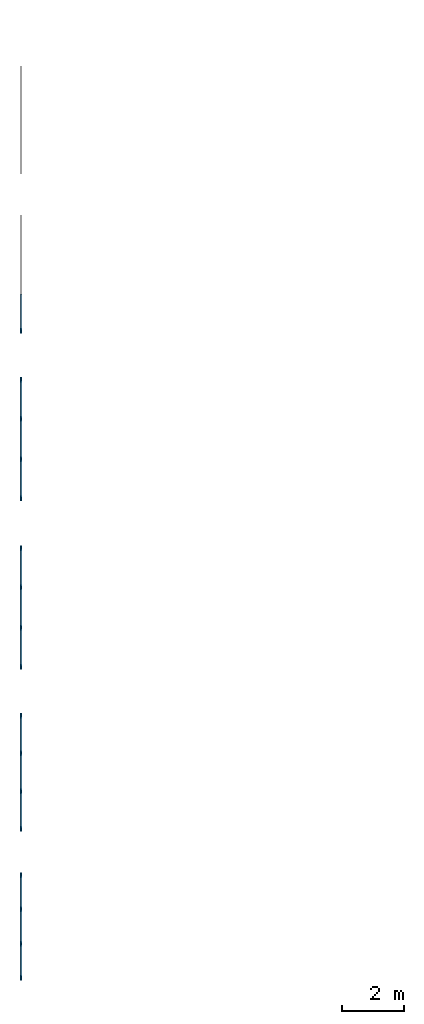
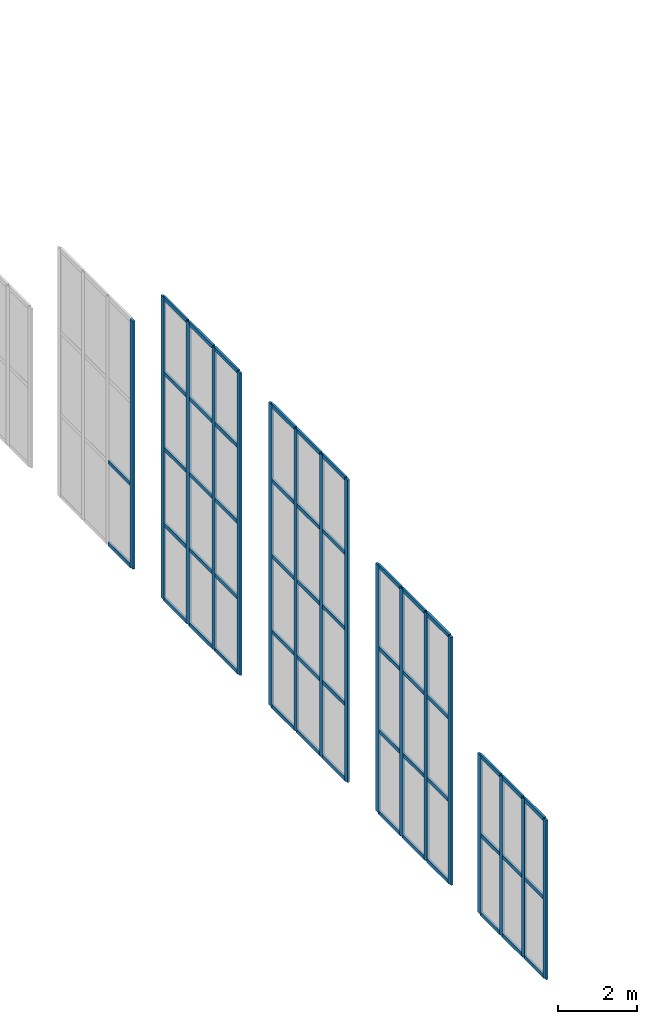
# One storey, part 2 of 19: 70 members, 5 elements without a shape of their own.
"""IFC4 building model written with IfcOpenShell, lengths in metres."""

from ifc_helpers import new_model, si_unit, direction, frame, origin, origin_2d, place, context, subcontext, project, spatial, rectangle, extrude, material, material_profile, profile_set, type_object, element, aggregate, save


model = new_model("IFC4")

# Units and contexts
model_context = context("Model", 3, precision=1e-05, world=origin(), true_north=direction((0.0, 1.0)))
body_context = subcontext(model_context, "Body", "Model", "MODEL_VIEW")
ifc_project = project(units=[si_unit("LENGTHUNIT", "METRE"), si_unit("AREAUNIT", "SQUARE_METRE"), si_unit("VOLUMEUNIT", "CUBIC_METRE"), si_unit("PLANEANGLEUNIT", "RADIAN"), si_unit("MASSUNIT", "GRAM", prefix="KILO")], contexts=[model_context])

# Site, building, storey
site_placement = place(None, origin())
site = spatial("IfcSite", under=ifc_project, at=site_placement, CompositionType="ELEMENT")
building_placement = place(site_placement, origin())
building = spatial("IfcBuilding", under=site, at=building_placement, Name="Vermilion Court Aquatics Centre", CompositionType="ELEMENT")
storey_placement = place(building_placement, frame((0.0, 0.0, 19.89990234375)))
storey = spatial("IfcBuildingStorey", under=building, at=storey_placement, Name="L04", CompositionType="ELEMENT", Elevation=19.89990234375)

# Curtain wall, members
ifc_material_1 = material(Name="Aluminium 6063-T5", Category="aluminium")
curtain_wall_type = type_object("IfcCurtainWallType", Name="Envelope curtain wall west gable upper runs", PredefinedType="NOTDEFINED", material=ifc_material_1)
curtain_wall_1_placement = place(storey_placement, origin())
curtain_wall_1 = element("IfcCurtainWall", 1, at=curtain_wall_1_placement, inside=storey, type_object=curtain_wall_type, Name="Gable glazing west 4.3", PredefinedType="NOTDEFINED")
ifc_material_2 = material(Name="Aluminium 6063-T5", Category="aluminium")
ifc_material_profile_1 = material_profile(ifc_material_2, rectangle(XDim=0.06005859375, YDim=0.159912109375, at=origin_2d()), Name="AL 60x160")
ifc_profile_set_1 = profile_set([ifc_material_profile_1], Name="Aluminium 6063-T5")
member_type_1 = type_object("IfcMemberType", Name="Envelope aluminium mullion 60x160", PredefinedType="MULLION", material=ifc_profile_set_1)
member_1_placement = place(storey_placement, frame((14.125, 24.85009765625, 0.0), z_axis=(0.0, 0.0, 1.0), x_axis=(-1.0, 0.0, 0.0)))
member_1 = element("IfcMember", 2, at=member_1_placement, type_object=member_type_1, Name="ECW4 mullion 1", PredefinedType="MULLION", context=body_context, shape_type="SweptSolid", body=[
    extrude(rectangle(XDim=0.06005859375, YDim=0.159912109375, at=origin_2d()), origin(), (0.0, 0.0, 1.0), 4.9384765625),
])
member_2_placement = place(storey_placement, frame((14.125, 25.94677734375, 0.0), z_axis=(0.0, 0.0, 1.0), x_axis=(-1.0, 0.0, 0.0)))
member_2 = element("IfcMember", 3, at=member_2_placement, type_object=member_type_1, Name="ECW4 mullion 2", PredefinedType="MULLION", context=body_context, shape_type="SweptSolid", body=[
    extrude(rectangle(XDim=0.06005859375, YDim=0.159912109375, at=origin_2d()), origin(), (0.0, 0.0, 1.0), 4.9384765625),
])
member_3_placement = place(storey_placement, frame((14.125, 27.0732421875, 0.0), z_axis=(0.0, 0.0, 1.0), x_axis=(-1.0, 0.0, 0.0)))
member_3 = element("IfcMember", 4, at=member_3_placement, type_object=member_type_1, Name="ECW4 mullion 3", PredefinedType="MULLION", context=body_context, shape_type="SweptSolid", body=[
    extrude(rectangle(XDim=0.06005859375, YDim=0.159912109375, at=origin_2d()), origin(), (0.0, 0.0, 1.0), 4.9384765625),
])
member_4_placement = place(storey_placement, frame((14.125, 28.169921875, 0.0), z_axis=(0.0, 0.0, 1.0), x_axis=(-1.0, 0.0, 0.0)))
member_4 = element("IfcMember", 5, at=member_4_placement, type_object=member_type_1, Name="ECW4 mullion 4", PredefinedType="MULLION", context=body_context, shape_type="SweptSolid", body=[
    extrude(rectangle(XDim=0.06005859375, YDim=0.159912109375, at=origin_2d()), origin(), (0.0, 0.0, 1.0), 4.9384765625),
])

curtain_wall_2_placement = place(storey_placement, origin())
curtain_wall_2 = element("IfcCurtainWall", 6, at=curtain_wall_2_placement, inside=storey, type_object=curtain_wall_type, Name="Gable glazing west 5.3", PredefinedType="NOTDEFINED")
member_5_placement = place(storey_placement, frame((14.125, 29.679931640625, 0.0), z_axis=(0.0, 0.0, 1.0), x_axis=(-1.0, 0.0, 0.0)))
member_5 = element("IfcMember", 7, at=member_5_placement, type_object=member_type_1, Name="ECW4 mullion 1", PredefinedType="MULLION", context=body_context, shape_type="SweptSolid", body=[
    extrude(rectangle(XDim=0.06005859375, YDim=0.159912109375, at=origin_2d()), origin(), (0.0, 0.0, 1.0), 7.689697265625),
])
member_6_placement = place(storey_placement, frame((14.125, 30.893310546875, 0.0), z_axis=(0.0, 0.0, 1.0), x_axis=(-1.0, 0.0, 0.0)))
member_6 = element("IfcMember", 8, at=member_6_placement, type_object=member_type_1, Name="ECW4 mullion 2", PredefinedType="MULLION", context=body_context, shape_type="SweptSolid", body=[
    extrude(rectangle(XDim=0.06005859375, YDim=0.159912109375, at=origin_2d()), origin(), (0.0, 0.0, 1.0), 7.689697265625),
])
member_7_placement = place(storey_placement, frame((14.125, 32.13671875, 0.0), z_axis=(0.0, 0.0, 1.0), x_axis=(-1.0, 0.0, 0.0)))
member_7 = element("IfcMember", 9, at=member_7_placement, type_object=member_type_1, Name="ECW4 mullion 3", PredefinedType="MULLION", context=body_context, shape_type="SweptSolid", body=[
    extrude(rectangle(XDim=0.06005859375, YDim=0.159912109375, at=origin_2d()), origin(), (0.0, 0.0, 1.0), 7.689697265625),
])
member_8_placement = place(storey_placement, frame((14.125, 33.35009765625, 0.0), z_axis=(0.0, 0.0, 1.0), x_axis=(-1.0, 0.0, 0.0)))
member_8 = element("IfcMember", 10, at=member_8_placement, type_object=member_type_1, Name="ECW4 mullion 4", PredefinedType="MULLION", context=body_context, shape_type="SweptSolid", body=[
    extrude(rectangle(XDim=0.06005859375, YDim=0.159912109375, at=origin_2d()), origin(), (0.0, 0.0, 1.0), 7.689697265625),
])

curtain_wall_3_placement = place(storey_placement, origin())
curtain_wall_3 = element("IfcCurtainWall", 11, at=curtain_wall_3_placement, inside=storey, type_object=curtain_wall_type, Name="Gable glazing west 6.3", PredefinedType="NOTDEFINED")
member_9_placement = place(storey_placement, frame((14.125, 34.93994140625, 0.0), z_axis=(0.0, 0.0, 1.0), x_axis=(-1.0, 0.0, 0.0)))
member_9 = element("IfcMember", 12, at=member_9_placement, type_object=member_type_1, Name="ECW4 mullion 1", PredefinedType="MULLION", context=body_context, shape_type="SweptSolid", body=[
    extrude(rectangle(XDim=0.06005859375, YDim=0.159912109375, at=origin_2d()), origin(), (0.0, 0.0, 1.0), 9.380126953125),
])
member_10_placement = place(storey_placement, frame((14.125, 36.21337890625, 0.0), z_axis=(0.0, 0.0, 1.0), x_axis=(-1.0, 0.0, 0.0)))
member_10 = element("IfcMember", 13, at=member_10_placement, type_object=member_type_1, Name="ECW4 mullion 2", PredefinedType="MULLION", context=body_context, shape_type="SweptSolid", body=[
    extrude(rectangle(XDim=0.06005859375, YDim=0.159912109375, at=origin_2d()), origin(), (0.0, 0.0, 1.0), 9.380126953125),
])
member_11_placement = place(storey_placement, frame((14.125, 37.5166015625, 0.0), z_axis=(0.0, 0.0, 1.0), x_axis=(-1.0, 0.0, 0.0)))
member_11 = element("IfcMember", 14, at=member_11_placement, type_object=member_type_1, Name="ECW4 mullion 3", PredefinedType="MULLION", context=body_context, shape_type="SweptSolid", body=[
    extrude(rectangle(XDim=0.06005859375, YDim=0.159912109375, at=origin_2d()), origin(), (0.0, 0.0, 1.0), 9.380126953125),
])
member_12_placement = place(storey_placement, frame((14.125, 38.7900390625, 0.0), z_axis=(0.0, 0.0, 1.0), x_axis=(-1.0, 0.0, 0.0)))
member_12 = element("IfcMember", 15, at=member_12_placement, type_object=member_type_1, Name="ECW4 mullion 4", PredefinedType="MULLION", context=body_context, shape_type="SweptSolid", body=[
    extrude(rectangle(XDim=0.06005859375, YDim=0.159912109375, at=origin_2d()), origin(), (0.0, 0.0, 1.0), 9.380126953125),
])

curtain_wall_4_placement = place(storey_placement, origin())
curtain_wall_4 = element("IfcCurtainWall", 16, at=curtain_wall_4_placement, inside=storey, type_object=curtain_wall_type, Name="Gable glazing west 7.3", PredefinedType="NOTDEFINED")
member_13_placement = place(storey_placement, frame((14.125, 40.409912109375, 0.0), z_axis=(0.0, 0.0, 1.0), x_axis=(-1.0, 0.0, 0.0)))
member_13 = element("IfcMember", 17, at=member_13_placement, type_object=member_type_1, Name="ECW4 mullion 1", PredefinedType="MULLION", context=body_context, shape_type="SweptSolid", body=[
    extrude(rectangle(XDim=0.06005859375, YDim=0.159912109375, at=origin_2d()), origin(), (0.0, 0.0, 1.0), 9.380126953125),
])
member_14_placement = place(storey_placement, frame((14.125, 41.683349609375, 0.0), z_axis=(0.0, 0.0, 1.0), x_axis=(-1.0, 0.0, 0.0)))
member_14 = element("IfcMember", 18, at=member_14_placement, type_object=member_type_1, Name="ECW4 mullion 2", PredefinedType="MULLION", context=body_context, shape_type="SweptSolid", body=[
    extrude(rectangle(XDim=0.06005859375, YDim=0.159912109375, at=origin_2d()), origin(), (0.0, 0.0, 1.0), 9.380126953125),
])
member_15_placement = place(storey_placement, frame((14.125, 42.986572265625, 0.0), z_axis=(0.0, 0.0, 1.0), x_axis=(-1.0, 0.0, 0.0)))
member_15 = element("IfcMember", 19, at=member_15_placement, type_object=member_type_1, Name="ECW4 mullion 3", PredefinedType="MULLION", context=body_context, shape_type="SweptSolid", body=[
    extrude(rectangle(XDim=0.06005859375, YDim=0.159912109375, at=origin_2d()), origin(), (0.0, 0.0, 1.0), 9.380126953125),
])
member_16_placement = place(storey_placement, frame((14.125, 44.260009765625, 0.0), z_axis=(0.0, 0.0, 1.0), x_axis=(-1.0, 0.0, 0.0)))
member_16 = element("IfcMember", 20, at=member_16_placement, type_object=member_type_1, Name="ECW4 mullion 4", PredefinedType="MULLION", context=body_context, shape_type="SweptSolid", body=[
    extrude(rectangle(XDim=0.06005859375, YDim=0.159912109375, at=origin_2d()), origin(), (0.0, 0.0, 1.0), 9.380126953125),
])

# Curtain wall, member
curtain_wall_5_placement = place(storey_placement, origin())
curtain_wall_5 = element("IfcCurtainWall", 21, at=curtain_wall_5_placement, inside=storey, type_object=curtain_wall_type, Name="Gable glazing west 8.3", PredefinedType="NOTDEFINED")
member_17_placement = place(storey_placement, frame((14.125, 45.85009765625, 0.0), z_axis=(0.0, 0.0, 1.0), x_axis=(-1.0, 0.0, 0.0)))
member_17 = element("IfcMember", 22, at=member_17_placement, type_object=member_type_1, Name="ECW4 mullion 1", PredefinedType="MULLION", context=body_context, shape_type="SweptSolid", body=[
    extrude(rectangle(XDim=0.06005859375, YDim=0.159912109375, at=origin_2d()), origin(), (0.0, 0.0, 1.0), 7.689697265625),
])

# Member
ifc_material_3 = material(Name="Aluminium 6063-T5", Category="aluminium")
ifc_material_profile_2 = material_profile(ifc_material_3, rectangle(XDim=0.06005859375, YDim=0.1201171875, at=origin_2d()), Name="AL 60x120")
ifc_profile_set_2 = profile_set([ifc_material_profile_2], Name="Aluminium 6063-T5")
member_type_2 = type_object("IfcMemberType", Name="Envelope aluminium transom 60x120", PredefinedType="USERDEFINED", material=ifc_profile_set_2)
member_18_placement = place(storey_placement, frame((14.125, 24.8798828125, 0.030029296875), z_axis=(0.0, 1.0, 0.0), x_axis=(-1.0, 0.0, 0.0)))
member_18 = element("IfcMember", 23, at=member_18_placement, type_object=member_type_2, Name="ECW4 transom 1.1", ObjectType="TRANSOM", PredefinedType="USERDEFINED", context=body_context, shape_type="SweptSolid", body=[
    extrude(rectangle(XDim=0.06005859375, YDim=0.1201171875, at=origin_2d()), origin(), (0.0, 0.0, 1.0), 1.036865234375),
])

member_19_placement = place(storey_placement, frame((14.125, 24.8798828125, 2.46923828125), z_axis=(0.0, 1.0, 0.0), x_axis=(-1.0, 0.0, 0.0)))
member_19 = element("IfcMember", 24, at=member_19_placement, type_object=member_type_2, Name="ECW4 transom 1.2", ObjectType="TRANSOM", PredefinedType="USERDEFINED", context=body_context, shape_type="SweptSolid", body=[
    extrude(rectangle(XDim=0.06005859375, YDim=0.1201171875, at=origin_2d()), origin(), (0.0, 0.0, 1.0), 1.036865234375),
])

member_20_placement = place(storey_placement, frame((14.125, 24.8798828125, 4.908447265625), z_axis=(0.0, 1.0, 0.0), x_axis=(-1.0, 0.0, 0.0)))
member_20 = element("IfcMember", 25, at=member_20_placement, type_object=member_type_2, Name="ECW4 transom 1.3", ObjectType="TRANSOM", PredefinedType="USERDEFINED", context=body_context, shape_type="SweptSolid", body=[
    extrude(rectangle(XDim=0.06005859375, YDim=0.1201171875, at=origin_2d()), origin(), (0.0, 0.0, 1.0), 1.036865234375),
])

member_21_placement = place(storey_placement, frame((14.125, 25.9765625, 0.030029296875), z_axis=(0.0, 1.0, 0.0), x_axis=(-1.0, 0.0, 0.0)))
member_21 = element("IfcMember", 26, at=member_21_placement, type_object=member_type_2, Name="ECW4 transom 2.1", ObjectType="TRANSOM", PredefinedType="USERDEFINED", context=body_context, shape_type="SweptSolid", body=[
    extrude(rectangle(XDim=0.06005859375, YDim=0.1201171875, at=origin_2d()), origin(), (0.0, 0.0, 1.0), 1.066650390625),
])

member_22_placement = place(storey_placement, frame((14.125, 25.9765625, 2.46923828125), z_axis=(0.0, 1.0, 0.0), x_axis=(-1.0, 0.0, 0.0)))
member_22 = element("IfcMember", 27, at=member_22_placement, type_object=member_type_2, Name="ECW4 transom 2.2", ObjectType="TRANSOM", PredefinedType="USERDEFINED", context=body_context, shape_type="SweptSolid", body=[
    extrude(rectangle(XDim=0.06005859375, YDim=0.1201171875, at=origin_2d()), origin(), (0.0, 0.0, 1.0), 1.066650390625),
])

member_23_placement = place(storey_placement, frame((14.125, 25.9765625, 4.908447265625), z_axis=(0.0, 1.0, 0.0), x_axis=(-1.0, 0.0, 0.0)))
member_23 = element("IfcMember", 28, at=member_23_placement, type_object=member_type_2, Name="ECW4 transom 2.3", ObjectType="TRANSOM", PredefinedType="USERDEFINED", context=body_context, shape_type="SweptSolid", body=[
    extrude(rectangle(XDim=0.06005859375, YDim=0.1201171875, at=origin_2d()), origin(), (0.0, 0.0, 1.0), 1.066650390625),
])

member_24_placement = place(storey_placement, frame((14.125, 27.103271484375, 0.030029296875), z_axis=(0.0, 1.0, 0.0), x_axis=(-1.0, 0.0, 0.0)))
member_24 = element("IfcMember", 29, at=member_24_placement, type_object=member_type_2, Name="ECW4 transom 3.1", ObjectType="TRANSOM", PredefinedType="USERDEFINED", context=body_context, shape_type="SweptSolid", body=[
    extrude(rectangle(XDim=0.06005859375, YDim=0.1201171875, at=origin_2d()), origin(), (0.0, 0.0, 1.0), 1.03662109375),
])

member_25_placement = place(storey_placement, frame((14.125, 27.103271484375, 2.46923828125), z_axis=(0.0, 1.0, 0.0), x_axis=(-1.0, 0.0, 0.0)))
member_25 = element("IfcMember", 30, at=member_25_placement, type_object=member_type_2, Name="ECW4 transom 3.2", ObjectType="TRANSOM", PredefinedType="USERDEFINED", context=body_context, shape_type="SweptSolid", body=[
    extrude(rectangle(XDim=0.06005859375, YDim=0.1201171875, at=origin_2d()), origin(), (0.0, 0.0, 1.0), 1.03662109375),
])

member_26_placement = place(storey_placement, frame((14.125, 27.103271484375, 4.908447265625), z_axis=(0.0, 1.0, 0.0), x_axis=(-1.0, 0.0, 0.0)))
member_26 = element("IfcMember", 31, at=member_26_placement, type_object=member_type_2, Name="ECW4 transom 3.3", ObjectType="TRANSOM", PredefinedType="USERDEFINED", context=body_context, shape_type="SweptSolid", body=[
    extrude(rectangle(XDim=0.06005859375, YDim=0.1201171875, at=origin_2d()), origin(), (0.0, 0.0, 1.0), 1.03662109375),
])

aggregate(curtain_wall_1, [member_1, member_2, member_3, member_4, member_18, member_19, member_20, member_21, member_22, member_23, member_24, member_25, member_26])

member_27_placement = place(storey_placement, frame((14.125, 29.7099609375, 0.030029296875), z_axis=(0.0, 1.0, 0.0), x_axis=(-1.0, 0.0, 0.0)))
member_27 = element("IfcMember", 32, at=member_27_placement, type_object=member_type_2, Name="ECW4 transom 1.1", ObjectType="TRANSOM", PredefinedType="USERDEFINED", context=body_context, shape_type="SweptSolid", body=[
    extrude(rectangle(XDim=0.06005859375, YDim=0.1201171875, at=origin_2d()), origin(), (0.0, 0.0, 1.0), 1.1533203125),
])

member_28_placement = place(storey_placement, frame((14.125, 29.7099609375, 2.563232421875), z_axis=(0.0, 1.0, 0.0), x_axis=(-1.0, 0.0, 0.0)))
member_28 = element("IfcMember", 33, at=member_28_placement, type_object=member_type_2, Name="ECW4 transom 1.2", ObjectType="TRANSOM", PredefinedType="USERDEFINED", context=body_context, shape_type="SweptSolid", body=[
    extrude(rectangle(XDim=0.06005859375, YDim=0.1201171875, at=origin_2d()), origin(), (0.0, 0.0, 1.0), 1.1533203125),
])

member_29_placement = place(storey_placement, frame((14.125, 29.7099609375, 5.12646484375), z_axis=(0.0, 1.0, 0.0), x_axis=(-1.0, 0.0, 0.0)))
member_29 = element("IfcMember", 34, at=member_29_placement, type_object=member_type_2, Name="ECW4 transom 1.3", ObjectType="TRANSOM", PredefinedType="USERDEFINED", context=body_context, shape_type="SweptSolid", body=[
    extrude(rectangle(XDim=0.06005859375, YDim=0.1201171875, at=origin_2d()), origin(), (0.0, 0.0, 1.0), 1.1533203125),
])

member_30_placement = place(storey_placement, frame((14.125, 29.7099609375, 7.65966796875), z_axis=(0.0, 1.0, 0.0), x_axis=(-1.0, 0.0, 0.0)))
member_30 = element("IfcMember", 35, at=member_30_placement, type_object=member_type_2, Name="ECW4 transom 1.4", ObjectType="TRANSOM", PredefinedType="USERDEFINED", context=body_context, shape_type="SweptSolid", body=[
    extrude(rectangle(XDim=0.06005859375, YDim=0.1201171875, at=origin_2d()), origin(), (0.0, 0.0, 1.0), 1.1533203125),
])

member_31_placement = place(storey_placement, frame((14.125, 30.92333984375, 0.030029296875), z_axis=(0.0, 1.0, 0.0), x_axis=(-1.0, 0.0, 0.0)))
member_31 = element("IfcMember", 36, at=member_31_placement, type_object=member_type_2, Name="ECW4 transom 2.1", ObjectType="TRANSOM", PredefinedType="USERDEFINED", context=body_context, shape_type="SweptSolid", body=[
    extrude(rectangle(XDim=0.06005859375, YDim=0.1201171875, at=origin_2d()), origin(), (0.0, 0.0, 1.0), 1.183349609375),
])

member_32_placement = place(storey_placement, frame((14.125, 30.92333984375, 2.563232421875), z_axis=(0.0, 1.0, 0.0), x_axis=(-1.0, 0.0, 0.0)))
member_32 = element("IfcMember", 37, at=member_32_placement, type_object=member_type_2, Name="ECW4 transom 2.2", ObjectType="TRANSOM", PredefinedType="USERDEFINED", context=body_context, shape_type="SweptSolid", body=[
    extrude(rectangle(XDim=0.06005859375, YDim=0.1201171875, at=origin_2d()), origin(), (0.0, 0.0, 1.0), 1.183349609375),
])

member_33_placement = place(storey_placement, frame((14.125, 30.92333984375, 5.12646484375), z_axis=(0.0, 1.0, 0.0), x_axis=(-1.0, 0.0, 0.0)))
member_33 = element("IfcMember", 38, at=member_33_placement, type_object=member_type_2, Name="ECW4 transom 2.3", ObjectType="TRANSOM", PredefinedType="USERDEFINED", context=body_context, shape_type="SweptSolid", body=[
    extrude(rectangle(XDim=0.06005859375, YDim=0.1201171875, at=origin_2d()), origin(), (0.0, 0.0, 1.0), 1.183349609375),
])

member_34_placement = place(storey_placement, frame((14.125, 30.92333984375, 7.65966796875), z_axis=(0.0, 1.0, 0.0), x_axis=(-1.0, 0.0, 0.0)))
member_34 = element("IfcMember", 39, at=member_34_placement, type_object=member_type_2, Name="ECW4 transom 2.4", ObjectType="TRANSOM", PredefinedType="USERDEFINED", context=body_context, shape_type="SweptSolid", body=[
    extrude(rectangle(XDim=0.06005859375, YDim=0.1201171875, at=origin_2d()), origin(), (0.0, 0.0, 1.0), 1.183349609375),
])

member_35_placement = place(storey_placement, frame((14.125, 32.166748046875, 0.030029296875), z_axis=(0.0, 1.0, 0.0), x_axis=(-1.0, 0.0, 0.0)))
member_35 = element("IfcMember", 40, at=member_35_placement, type_object=member_type_2, Name="ECW4 transom 3.1", ObjectType="TRANSOM", PredefinedType="USERDEFINED", context=body_context, shape_type="SweptSolid", body=[
    extrude(rectangle(XDim=0.06005859375, YDim=0.1201171875, at=origin_2d()), origin(), (0.0, 0.0, 1.0), 1.1533203125),
])

member_36_placement = place(storey_placement, frame((14.125, 32.166748046875, 2.563232421875), z_axis=(0.0, 1.0, 0.0), x_axis=(-1.0, 0.0, 0.0)))
member_36 = element("IfcMember", 41, at=member_36_placement, type_object=member_type_2, Name="ECW4 transom 3.2", ObjectType="TRANSOM", PredefinedType="USERDEFINED", context=body_context, shape_type="SweptSolid", body=[
    extrude(rectangle(XDim=0.06005859375, YDim=0.1201171875, at=origin_2d()), origin(), (0.0, 0.0, 1.0), 1.1533203125),
])

member_37_placement = place(storey_placement, frame((14.125, 32.166748046875, 5.12646484375), z_axis=(0.0, 1.0, 0.0), x_axis=(-1.0, 0.0, 0.0)))
member_37 = element("IfcMember", 42, at=member_37_placement, type_object=member_type_2, Name="ECW4 transom 3.3", ObjectType="TRANSOM", PredefinedType="USERDEFINED", context=body_context, shape_type="SweptSolid", body=[
    extrude(rectangle(XDim=0.06005859375, YDim=0.1201171875, at=origin_2d()), origin(), (0.0, 0.0, 1.0), 1.1533203125),
])

member_38_placement = place(storey_placement, frame((14.125, 32.166748046875, 7.65966796875), z_axis=(0.0, 1.0, 0.0), x_axis=(-1.0, 0.0, 0.0)))
member_38 = element("IfcMember", 43, at=member_38_placement, type_object=member_type_2, Name="ECW4 transom 3.4", ObjectType="TRANSOM", PredefinedType="USERDEFINED", context=body_context, shape_type="SweptSolid", body=[
    extrude(rectangle(XDim=0.06005859375, YDim=0.1201171875, at=origin_2d()), origin(), (0.0, 0.0, 1.0), 1.1533203125),
])

aggregate(curtain_wall_2, [member_5, member_6, member_7, member_8, member_27, member_28, member_29, member_30, member_31, member_32, member_33, member_34, member_35, member_36, member_37, member_38])

member_39_placement = place(storey_placement, frame((14.125, 34.969970703125, 0.030029296875), z_axis=(0.0, 1.0, 0.0), x_axis=(-1.0, 0.0, 0.0)))
member_39 = element("IfcMember", 44, at=member_39_placement, type_object=member_type_2, Name="ECW4 transom 1.1", ObjectType="TRANSOM", PredefinedType="USERDEFINED", context=body_context, shape_type="SweptSolid", body=[
    extrude(rectangle(XDim=0.06005859375, YDim=0.1201171875, at=origin_2d()), origin(), (0.0, 0.0, 1.0), 1.21337890625),
])

member_40_placement = place(storey_placement, frame((14.125, 34.969970703125, 2.34521484375), z_axis=(0.0, 1.0, 0.0), x_axis=(-1.0, 0.0, 0.0)))
member_40 = element("IfcMember", 45, at=member_40_placement, type_object=member_type_2, Name="ECW4 transom 1.2", ObjectType="TRANSOM", PredefinedType="USERDEFINED", context=body_context, shape_type="SweptSolid", body=[
    extrude(rectangle(XDim=0.06005859375, YDim=0.1201171875, at=origin_2d()), origin(), (0.0, 0.0, 1.0), 1.21337890625),
])

member_41_placement = place(storey_placement, frame((14.125, 34.969970703125, 4.690185546875), z_axis=(0.0, 1.0, 0.0), x_axis=(-1.0, 0.0, 0.0)))
member_41 = element("IfcMember", 46, at=member_41_placement, type_object=member_type_2, Name="ECW4 transom 1.3", ObjectType="TRANSOM", PredefinedType="USERDEFINED", context=body_context, shape_type="SweptSolid", body=[
    extrude(rectangle(XDim=0.06005859375, YDim=0.1201171875, at=origin_2d()), origin(), (0.0, 0.0, 1.0), 1.21337890625),
])

member_42_placement = place(storey_placement, frame((14.125, 34.969970703125, 7.03515625), z_axis=(0.0, 1.0, 0.0), x_axis=(-1.0, 0.0, 0.0)))
member_42 = element("IfcMember", 47, at=member_42_placement, type_object=member_type_2, Name="ECW4 transom 1.4", ObjectType="TRANSOM", PredefinedType="USERDEFINED", context=body_context, shape_type="SweptSolid", body=[
    extrude(rectangle(XDim=0.06005859375, YDim=0.1201171875, at=origin_2d()), origin(), (0.0, 0.0, 1.0), 1.21337890625),
])

member_43_placement = place(storey_placement, frame((14.125, 34.969970703125, 9.35009765625), z_axis=(0.0, 1.0, 0.0), x_axis=(-1.0, 0.0, 0.0)))
member_43 = element("IfcMember", 48, at=member_43_placement, type_object=member_type_2, Name="ECW4 transom 1.5", ObjectType="TRANSOM", PredefinedType="USERDEFINED", context=body_context, shape_type="SweptSolid", body=[
    extrude(rectangle(XDim=0.06005859375, YDim=0.1201171875, at=origin_2d()), origin(), (0.0, 0.0, 1.0), 1.21337890625),
])

member_44_placement = place(storey_placement, frame((14.125, 36.243408203125, 0.030029296875), z_axis=(0.0, 1.0, 0.0), x_axis=(-1.0, 0.0, 0.0)))
member_44 = element("IfcMember", 49, at=member_44_placement, type_object=member_type_2, Name="ECW4 transom 2.1", ObjectType="TRANSOM", PredefinedType="USERDEFINED", context=body_context, shape_type="SweptSolid", body=[
    extrude(rectangle(XDim=0.06005859375, YDim=0.1201171875, at=origin_2d()), origin(), (0.0, 0.0, 1.0), 1.2431640625),
])

member_45_placement = place(storey_placement, frame((14.125, 36.243408203125, 2.34521484375), z_axis=(0.0, 1.0, 0.0), x_axis=(-1.0, 0.0, 0.0)))
member_45 = element("IfcMember", 50, at=member_45_placement, type_object=member_type_2, Name="ECW4 transom 2.2", ObjectType="TRANSOM", PredefinedType="USERDEFINED", context=body_context, shape_type="SweptSolid", body=[
    extrude(rectangle(XDim=0.06005859375, YDim=0.1201171875, at=origin_2d()), origin(), (0.0, 0.0, 1.0), 1.2431640625),
])

member_46_placement = place(storey_placement, frame((14.125, 36.243408203125, 4.690185546875), z_axis=(0.0, 1.0, 0.0), x_axis=(-1.0, 0.0, 0.0)))
member_46 = element("IfcMember", 51, at=member_46_placement, type_object=member_type_2, Name="ECW4 transom 2.3", ObjectType="TRANSOM", PredefinedType="USERDEFINED", context=body_context, shape_type="SweptSolid", body=[
    extrude(rectangle(XDim=0.06005859375, YDim=0.1201171875, at=origin_2d()), origin(), (0.0, 0.0, 1.0), 1.2431640625),
])

member_47_placement = place(storey_placement, frame((14.125, 36.243408203125, 7.03515625), z_axis=(0.0, 1.0, 0.0), x_axis=(-1.0, 0.0, 0.0)))
member_47 = element("IfcMember", 52, at=member_47_placement, type_object=member_type_2, Name="ECW4 transom 2.4", ObjectType="TRANSOM", PredefinedType="USERDEFINED", context=body_context, shape_type="SweptSolid", body=[
    extrude(rectangle(XDim=0.06005859375, YDim=0.1201171875, at=origin_2d()), origin(), (0.0, 0.0, 1.0), 1.2431640625),
])

member_48_placement = place(storey_placement, frame((14.125, 36.243408203125, 9.35009765625), z_axis=(0.0, 1.0, 0.0), x_axis=(-1.0, 0.0, 0.0)))
member_48 = element("IfcMember", 53, at=member_48_placement, type_object=member_type_2, Name="ECW4 transom 2.5", ObjectType="TRANSOM", PredefinedType="USERDEFINED", context=body_context, shape_type="SweptSolid", body=[
    extrude(rectangle(XDim=0.06005859375, YDim=0.1201171875, at=origin_2d()), origin(), (0.0, 0.0, 1.0), 1.2431640625),
])

member_49_placement = place(storey_placement, frame((14.125, 37.546630859375, 0.030029296875), z_axis=(0.0, 1.0, 0.0), x_axis=(-1.0, 0.0, 0.0)))
member_49 = element("IfcMember", 54, at=member_49_placement, type_object=member_type_2, Name="ECW4 transom 3.1", ObjectType="TRANSOM", PredefinedType="USERDEFINED", context=body_context, shape_type="SweptSolid", body=[
    extrude(rectangle(XDim=0.06005859375, YDim=0.1201171875, at=origin_2d()), origin(), (0.0, 0.0, 1.0), 1.21337890625),
])

member_50_placement = place(storey_placement, frame((14.125, 37.546630859375, 2.34521484375), z_axis=(0.0, 1.0, 0.0), x_axis=(-1.0, 0.0, 0.0)))
member_50 = element("IfcMember", 55, at=member_50_placement, type_object=member_type_2, Name="ECW4 transom 3.2", ObjectType="TRANSOM", PredefinedType="USERDEFINED", context=body_context, shape_type="SweptSolid", body=[
    extrude(rectangle(XDim=0.06005859375, YDim=0.1201171875, at=origin_2d()), origin(), (0.0, 0.0, 1.0), 1.21337890625),
])

member_51_placement = place(storey_placement, frame((14.125, 37.546630859375, 4.690185546875), z_axis=(0.0, 1.0, 0.0), x_axis=(-1.0, 0.0, 0.0)))
member_51 = element("IfcMember", 56, at=member_51_placement, type_object=member_type_2, Name="ECW4 transom 3.3", ObjectType="TRANSOM", PredefinedType="USERDEFINED", context=body_context, shape_type="SweptSolid", body=[
    extrude(rectangle(XDim=0.06005859375, YDim=0.1201171875, at=origin_2d()), origin(), (0.0, 0.0, 1.0), 1.21337890625),
])

member_52_placement = place(storey_placement, frame((14.125, 37.546630859375, 7.03515625), z_axis=(0.0, 1.0, 0.0), x_axis=(-1.0, 0.0, 0.0)))
member_52 = element("IfcMember", 57, at=member_52_placement, type_object=member_type_2, Name="ECW4 transom 3.4", ObjectType="TRANSOM", PredefinedType="USERDEFINED", context=body_context, shape_type="SweptSolid", body=[
    extrude(rectangle(XDim=0.06005859375, YDim=0.1201171875, at=origin_2d()), origin(), (0.0, 0.0, 1.0), 1.21337890625),
])

member_53_placement = place(storey_placement, frame((14.125, 37.546630859375, 9.35009765625), z_axis=(0.0, 1.0, 0.0), x_axis=(-1.0, 0.0, 0.0)))
member_53 = element("IfcMember", 58, at=member_53_placement, type_object=member_type_2, Name="ECW4 transom 3.5", ObjectType="TRANSOM", PredefinedType="USERDEFINED", context=body_context, shape_type="SweptSolid", body=[
    extrude(rectangle(XDim=0.06005859375, YDim=0.1201171875, at=origin_2d()), origin(), (0.0, 0.0, 1.0), 1.21337890625),
])

aggregate(curtain_wall_3, [member_9, member_10, member_11, member_12, member_39, member_40, member_41, member_42, member_43, member_44, member_45, member_46, member_47, member_48, member_49, member_50, member_51, member_52, member_53])

member_54_placement = place(storey_placement, frame((14.125, 40.43994140625, 0.030029296875), z_axis=(0.0, 1.0, 0.0), x_axis=(-1.0, 0.0, 0.0)))
member_54 = element("IfcMember", 59, at=member_54_placement, type_object=member_type_2, Name="ECW4 transom 1.1", ObjectType="TRANSOM", PredefinedType="USERDEFINED", context=body_context, shape_type="SweptSolid", body=[
    extrude(rectangle(XDim=0.06005859375, YDim=0.1201171875, at=origin_2d()), origin(), (0.0, 0.0, 1.0), 1.21337890625),
])

member_55_placement = place(storey_placement, frame((14.125, 40.43994140625, 2.34521484375), z_axis=(0.0, 1.0, 0.0), x_axis=(-1.0, 0.0, 0.0)))
member_55 = element("IfcMember", 60, at=member_55_placement, type_object=member_type_2, Name="ECW4 transom 1.2", ObjectType="TRANSOM", PredefinedType="USERDEFINED", context=body_context, shape_type="SweptSolid", body=[
    extrude(rectangle(XDim=0.06005859375, YDim=0.1201171875, at=origin_2d()), origin(), (0.0, 0.0, 1.0), 1.21337890625),
])

member_56_placement = place(storey_placement, frame((14.125, 40.43994140625, 4.690185546875), z_axis=(0.0, 1.0, 0.0), x_axis=(-1.0, 0.0, 0.0)))
member_56 = element("IfcMember", 61, at=member_56_placement, type_object=member_type_2, Name="ECW4 transom 1.3", ObjectType="TRANSOM", PredefinedType="USERDEFINED", context=body_context, shape_type="SweptSolid", body=[
    extrude(rectangle(XDim=0.06005859375, YDim=0.1201171875, at=origin_2d()), origin(), (0.0, 0.0, 1.0), 1.21337890625),
])

member_57_placement = place(storey_placement, frame((14.125, 40.43994140625, 7.03515625), z_axis=(0.0, 1.0, 0.0), x_axis=(-1.0, 0.0, 0.0)))
member_57 = element("IfcMember", 62, at=member_57_placement, type_object=member_type_2, Name="ECW4 transom 1.4", ObjectType="TRANSOM", PredefinedType="USERDEFINED", context=body_context, shape_type="SweptSolid", body=[
    extrude(rectangle(XDim=0.06005859375, YDim=0.1201171875, at=origin_2d()), origin(), (0.0, 0.0, 1.0), 1.21337890625),
])

member_58_placement = place(storey_placement, frame((14.125, 40.43994140625, 9.35009765625), z_axis=(0.0, 1.0, 0.0), x_axis=(-1.0, 0.0, 0.0)))
member_58 = element("IfcMember", 63, at=member_58_placement, type_object=member_type_2, Name="ECW4 transom 1.5", ObjectType="TRANSOM", PredefinedType="USERDEFINED", context=body_context, shape_type="SweptSolid", body=[
    extrude(rectangle(XDim=0.06005859375, YDim=0.1201171875, at=origin_2d()), origin(), (0.0, 0.0, 1.0), 1.21337890625),
])

member_59_placement = place(storey_placement, frame((14.125, 41.71337890625, 0.030029296875), z_axis=(0.0, 1.0, 0.0), x_axis=(-1.0, 0.0, 0.0)))
member_59 = element("IfcMember", 64, at=member_59_placement, type_object=member_type_2, Name="ECW4 transom 2.1", ObjectType="TRANSOM", PredefinedType="USERDEFINED", context=body_context, shape_type="SweptSolid", body=[
    extrude(rectangle(XDim=0.06005859375, YDim=0.1201171875, at=origin_2d()), origin(), (0.0, 0.0, 1.0), 1.243408203125),
])

member_60_placement = place(storey_placement, frame((14.125, 41.71337890625, 2.34521484375), z_axis=(0.0, 1.0, 0.0), x_axis=(-1.0, 0.0, 0.0)))
member_60 = element("IfcMember", 65, at=member_60_placement, type_object=member_type_2, Name="ECW4 transom 2.2", ObjectType="TRANSOM", PredefinedType="USERDEFINED", context=body_context, shape_type="SweptSolid", body=[
    extrude(rectangle(XDim=0.06005859375, YDim=0.1201171875, at=origin_2d()), origin(), (0.0, 0.0, 1.0), 1.243408203125),
])

member_61_placement = place(storey_placement, frame((14.125, 41.71337890625, 4.690185546875), z_axis=(0.0, 1.0, 0.0), x_axis=(-1.0, 0.0, 0.0)))
member_61 = element("IfcMember", 66, at=member_61_placement, type_object=member_type_2, Name="ECW4 transom 2.3", ObjectType="TRANSOM", PredefinedType="USERDEFINED", context=body_context, shape_type="SweptSolid", body=[
    extrude(rectangle(XDim=0.06005859375, YDim=0.1201171875, at=origin_2d()), origin(), (0.0, 0.0, 1.0), 1.243408203125),
])

member_62_placement = place(storey_placement, frame((14.125, 41.71337890625, 7.03515625), z_axis=(0.0, 1.0, 0.0), x_axis=(-1.0, 0.0, 0.0)))
member_62 = element("IfcMember", 67, at=member_62_placement, type_object=member_type_2, Name="ECW4 transom 2.4", ObjectType="TRANSOM", PredefinedType="USERDEFINED", context=body_context, shape_type="SweptSolid", body=[
    extrude(rectangle(XDim=0.06005859375, YDim=0.1201171875, at=origin_2d()), origin(), (0.0, 0.0, 1.0), 1.243408203125),
])

member_63_placement = place(storey_placement, frame((14.125, 41.71337890625, 9.35009765625), z_axis=(0.0, 1.0, 0.0), x_axis=(-1.0, 0.0, 0.0)))
member_63 = element("IfcMember", 68, at=member_63_placement, type_object=member_type_2, Name="ECW4 transom 2.5", ObjectType="TRANSOM", PredefinedType="USERDEFINED", context=body_context, shape_type="SweptSolid", body=[
    extrude(rectangle(XDim=0.06005859375, YDim=0.1201171875, at=origin_2d()), origin(), (0.0, 0.0, 1.0), 1.243408203125),
])

member_64_placement = place(storey_placement, frame((14.125, 43.0166015625, 0.030029296875), z_axis=(0.0, 1.0, 0.0), x_axis=(-1.0, 0.0, 0.0)))
member_64 = element("IfcMember", 69, at=member_64_placement, type_object=member_type_2, Name="ECW4 transom 3.1", ObjectType="TRANSOM", PredefinedType="USERDEFINED", context=body_context, shape_type="SweptSolid", body=[
    extrude(rectangle(XDim=0.06005859375, YDim=0.1201171875, at=origin_2d()), origin(), (0.0, 0.0, 1.0), 1.21337890625),
])

member_65_placement = place(storey_placement, frame((14.125, 43.0166015625, 2.34521484375), z_axis=(0.0, 1.0, 0.0), x_axis=(-1.0, 0.0, 0.0)))
member_65 = element("IfcMember", 70, at=member_65_placement, type_object=member_type_2, Name="ECW4 transom 3.2", ObjectType="TRANSOM", PredefinedType="USERDEFINED", context=body_context, shape_type="SweptSolid", body=[
    extrude(rectangle(XDim=0.06005859375, YDim=0.1201171875, at=origin_2d()), origin(), (0.0, 0.0, 1.0), 1.21337890625),
])

member_66_placement = place(storey_placement, frame((14.125, 43.0166015625, 4.690185546875), z_axis=(0.0, 1.0, 0.0), x_axis=(-1.0, 0.0, 0.0)))
member_66 = element("IfcMember", 71, at=member_66_placement, type_object=member_type_2, Name="ECW4 transom 3.3", ObjectType="TRANSOM", PredefinedType="USERDEFINED", context=body_context, shape_type="SweptSolid", body=[
    extrude(rectangle(XDim=0.06005859375, YDim=0.1201171875, at=origin_2d()), origin(), (0.0, 0.0, 1.0), 1.21337890625),
])

member_67_placement = place(storey_placement, frame((14.125, 43.0166015625, 7.03515625), z_axis=(0.0, 1.0, 0.0), x_axis=(-1.0, 0.0, 0.0)))
member_67 = element("IfcMember", 72, at=member_67_placement, type_object=member_type_2, Name="ECW4 transom 3.4", ObjectType="TRANSOM", PredefinedType="USERDEFINED", context=body_context, shape_type="SweptSolid", body=[
    extrude(rectangle(XDim=0.06005859375, YDim=0.1201171875, at=origin_2d()), origin(), (0.0, 0.0, 1.0), 1.21337890625),
])

member_68_placement = place(storey_placement, frame((14.125, 43.0166015625, 9.35009765625), z_axis=(0.0, 1.0, 0.0), x_axis=(-1.0, 0.0, 0.0)))
member_68 = element("IfcMember", 73, at=member_68_placement, type_object=member_type_2, Name="ECW4 transom 3.5", ObjectType="TRANSOM", PredefinedType="USERDEFINED", context=body_context, shape_type="SweptSolid", body=[
    extrude(rectangle(XDim=0.06005859375, YDim=0.1201171875, at=origin_2d()), origin(), (0.0, 0.0, 1.0), 1.21337890625),
])

aggregate(curtain_wall_4, [member_13, member_14, member_15, member_16, member_54, member_55, member_56, member_57, member_58, member_59, member_60, member_61, member_62, member_63, member_64, member_65, member_66, member_67, member_68])

member_69_placement = place(storey_placement, frame((14.125, 45.8798828125, 0.030029296875), z_axis=(0.0, 1.0, 0.0), x_axis=(-1.0, 0.0, 0.0)))
member_69 = element("IfcMember", 74, at=member_69_placement, type_object=member_type_2, Name="ECW4 transom 1.1", ObjectType="TRANSOM", PredefinedType="USERDEFINED", context=body_context, shape_type="SweptSolid", body=[
    extrude(rectangle(XDim=0.06005859375, YDim=0.1201171875, at=origin_2d()), origin(), (0.0, 0.0, 1.0), 1.153564453125),
])

member_70_placement = place(storey_placement, frame((14.125, 45.8798828125, 2.563232421875), z_axis=(0.0, 1.0, 0.0), x_axis=(-1.0, 0.0, 0.0)))
member_70 = element("IfcMember", 75, at=member_70_placement, type_object=member_type_2, Name="ECW4 transom 1.2", ObjectType="TRANSOM", PredefinedType="USERDEFINED", context=body_context, shape_type="SweptSolid", body=[
    extrude(rectangle(XDim=0.06005859375, YDim=0.1201171875, at=origin_2d()), origin(), (0.0, 0.0, 1.0), 1.153564453125),
])

aggregate(curtain_wall_5, [member_17, member_69, member_70])

save(model, "model.ifc")
